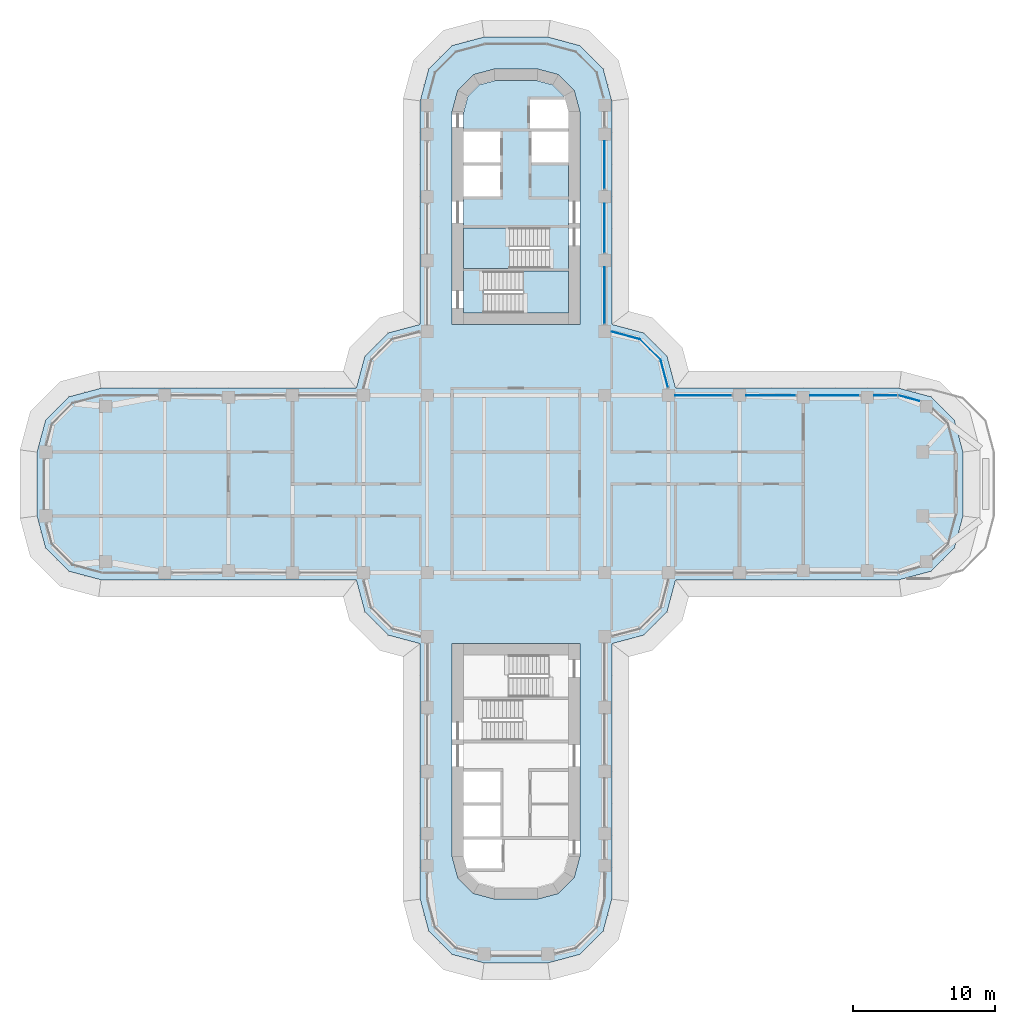
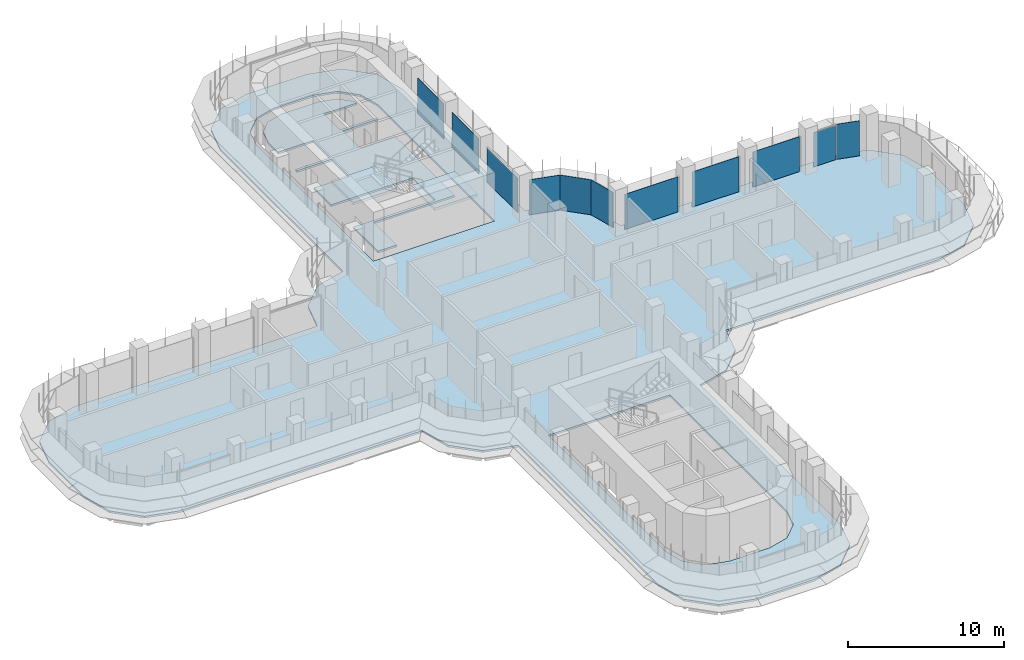
# One storey, part 14 of 22: 11 plates, 4 slabs, 8 elements without a shape of their own.
"""IFC4 building model written with IfcOpenShell, lengths in metres."""

from ifc_helpers import new_model, si_unit, direction, frame, origin, place, context, subcontext, project, spatial, polyline, outline, extrude, source, transform, mapped, material, layer, layer_set, type_object, element, aggregate, save


model = new_model("IFC4")

# Units and contexts
model_context = context("Model", 3, precision=1e-05, world=origin(), true_north=direction((0.0, 1.0)))
body_context = subcontext(model_context, "Body", "Model", "MODEL_VIEW")
ifc_project = project(units=[si_unit("LENGTHUNIT", "METRE"), si_unit("AREAUNIT", "SQUARE_METRE"), si_unit("VOLUMEUNIT", "CUBIC_METRE"), si_unit("PLANEANGLEUNIT", "RADIAN"), si_unit("MASSUNIT", "GRAM", prefix="KILO")], contexts=[model_context])

# Site, building, storey
site_placement = place(None, origin())
site = spatial("IfcSite", under=ifc_project, at=site_placement, CompositionType="ELEMENT")
building_placement = place(site_placement, origin())
building = spatial("IfcBuilding", under=site, at=building_placement, Name="Zarbagh Exchange Tower", CompositionType="ELEMENT")
storey_placement = place(building_placement, frame((0.0, 0.0, 124.60009765625)))
storey = spatial("IfcBuildingStorey", under=building, at=storey_placement, Name="L29", CompositionType="ELEMENT", Elevation=124.60009765625)

# Slabs
ifc_material_1 = material(Name="Concrete C40/50", Category="concrete")
ifc_layer_1 = layer(ifc_material_1, 0.14990234375)
ifc_layer_set_1 = layer_set([ifc_layer_1], Name="Composite floor slab 150 C40/50")
slab_type_1 = type_object("IfcSlabType", Name="Composite floor slab 150 C40/50", PredefinedType="FLOOR", material=ifc_layer_set_1)
slab_1_placement = place(storey_placement, frame((0.0, 0.0, -0.150146484375)))
element("IfcSlab", 1, at=slab_1_placement, inside=storey, type_object=slab_type_1, Name="S5 composite floor slab", PredefinedType="FLOOR", context=body_context, shape_type="SweptSolid", body=[
    extrude(outline(polyline([(-2.25, -33.75), (-4.5, -33.147216796875), (-6.147216796875, -31.5), (-6.75, -29.25), (-6.75, -11.25), (-9.0, -10.647216796875), (-10.647216796875, -9.0), (-11.25, -6.75), (-29.25, -6.75), (-31.5, -6.147216796875), (-33.147216796875, -4.5), (-33.75, -2.25), (-33.75, 2.25), (-33.147216796875, 4.5), (-31.5, 6.147216796875), (-29.25, 6.75), (-11.25, 6.75), (-10.647216796875, 9.0), (-9.0, 10.647216796875), (-6.75, 11.25), (-6.75, 27.0), (-6.147216796875, 29.25), (-4.5, 30.897216796875), (-2.25, 31.5), (2.25, 31.5), (4.5, 30.897216796875), (6.147216796875, 29.25), (6.75, 27.0), (6.75, 11.25), (9.0, 10.647216796875), (10.647216796875, 9.0), (11.25, 6.75), (27.0, 6.75), (29.25, 6.147216796875), (30.897216796875, 4.5), (31.5, 2.25), (31.5, -2.25), (30.897216796875, -4.5), (29.25, -6.147216796875), (27.0, -6.75), (11.25, -6.75), (10.647216796875, -9.0), (9.0, -10.647216796875), (6.75, -11.25), (6.75, -29.25), (6.147216796875, -31.5), (4.5, -33.147216796875), (2.25, -33.75), (-2.25, -33.75)]), holes=[polyline([(4.5, 11.25), (4.5, 26.25), (4.09814453125, 27.75), (3.0, 28.84814453125), (1.5, 29.25), (-1.5, 29.25), (-3.0, 28.84814453125), (-4.09814453125, 27.75), (-4.5, 26.25), (-4.5, 11.25), (4.5, 11.25)]), polyline([(-1.5, -29.25), (1.5, -29.25), (3.0, -28.84814453125), (4.09814453125, -27.75), (4.5, -26.25), (4.5, -11.25), (-4.5, -11.25), (-4.5, -26.25), (-4.09814453125, -27.75), (-3.0, -28.84814453125), (-1.5, -29.25)])]), origin(), (0.0, 0.0, 1.0), 0.150146484375),
])
ifc_layer_2 = layer(ifc_material_1, 0.14990234375)
ifc_layer_set_2 = layer_set([ifc_layer_2], Name="Core floor slab 150 C40/50")
slab_type_2 = type_object("IfcSlabType", Name="Core floor slab 150 C40/50", PredefinedType="FLOOR", material=ifc_layer_set_2)
slab_2_placement = place(storey_placement, frame((0.0, 0.0, -0.150146484375)))
element("IfcSlab", 2, at=slab_2_placement, inside=storey, type_object=slab_type_2, Name="S17 core N", PredefinedType="FLOOR", context=body_context, shape_type="SweptSolid", body=[
    extrude(outline(polyline([(-3.699951171875, 12.050048828125), (-3.699951171875, 15.199951171875), (2.35009765625, 15.199951171875), (2.35009765625, 18.050048828125), (-3.699951171875, 18.050048828125), (-3.699951171875, 20.25), (-1.10009765625, 20.25), (-1.10009765625, 22.449951171875), (-3.699951171875, 22.449951171875), (-3.699951171875, 22.64990234375), (-1.10009765625, 22.64990234375), (-1.10009765625, 24.85009765625), (-3.699951171875, 24.85009765625), (-3.699951171875, 26.144775390625), (-3.380859375, 27.3359375), (-2.5859375, 28.130859375), (-1.394775390625, 28.449951171875), (1.394775390625, 28.449951171875), (2.5859375, 28.130859375), (3.380859375, 27.3359375), (3.646484375, 26.3447265625), (3.444091796875, 27.10009765625), (1.0, 27.10009765625), (1.0, 25.050048828125), (3.699951171875, 25.050048828125), (3.699951171875, 24.85009765625), (1.10009765625, 24.85009765625), (1.10009765625, 22.64990234375), (3.699951171875, 22.64990234375), (3.699951171875, 15.0), (-2.300048828125, 15.0), (-2.300048828125, 12.050048828125), (-3.699951171875, 12.050048828125)])), origin(), (0.0, 0.0, 1.0), 0.150146484375),
])

# Stair, slab
stair_type = type_object("IfcStairType", Name="Exit stair two-flight half-turn", PredefinedType="HALF_TURN_STAIR", material=ifc_material_1)
stair_1_placement = place(storey_placement, origin())
stair_1 = element("IfcStair", 3, at=stair_1_placement, inside=storey, type_object=stair_type, Name="exit stair ST1", PredefinedType="HALF_TURN_STAIR")
ifc_layer_3 = layer(ifc_material_1, 0.199951171875)
ifc_layer_set_3 = layer_set([ifc_layer_3], Name="Stair landing 200 mm")
slab_type_3 = type_object("IfcSlabType", Name="Stair landing 200 mm", PredefinedType="LANDING", material=ifc_layer_set_3)
slab_3_placement = place(storey_placement, frame((0.0, 0.0, 1.699951171875)))
slab_3 = element("IfcSlab", 4, at=slab_3_placement, type_object=slab_type_3, Name="ST1 landing 1", PredefinedType="LANDING", context=body_context, shape_type="SweptSolid", body=[
    extrude(outline(polyline([(-0.449951171875, 18.050048828125), (-3.699951171875, 18.050048828125), (-3.699951171875, 15.199951171875), (-0.449951171875, 15.199951171875), (-0.449951171875, 18.050048828125)])), origin(), (0.0, 0.0, 1.0), 0.199951171875),
])
aggregate(stair_1, [slab_3])

stair_2_placement = place(storey_placement, origin())
stair_2 = element("IfcStair", 5, at=stair_2_placement, inside=storey, type_object=stair_type, Name="exit stair ST2", PredefinedType="HALF_TURN_STAIR")
slab_4_placement = place(storey_placement, frame((0.0, 0.0, 1.699951171875)))
slab_4 = element("IfcSlab", 6, at=slab_4_placement, type_object=slab_type_3, Name="ST2 landing 1", PredefinedType="LANDING", context=body_context, shape_type="SweptSolid", body=[
    extrude(outline(polyline([(0.5, 12.050048828125), (3.699951171875, 12.050048828125), (3.699951171875, 15.0), (0.5, 15.0), (0.5, 12.050048828125)])), origin(), (0.0, 0.0, 1.0), 0.199951171875),
])
aggregate(stair_2, [slab_4])

# Curtain wall, plate
ifc_material_2 = material(Name="Anodised aluminium frame and glazing", Category="aluminium")
curtain_wall_type = type_object("IfcCurtainWallType", Name="CWA Ribbon glazing, lower zones", PredefinedType="NOTDEFINED", material=ifc_material_2)
curtain_wall_1_placement = place(storey_placement, origin())
curtain_wall_1 = element("IfcCurtainWall", 7, at=curtain_wall_1_placement, inside=storey, type_object=curtain_wall_type, Name="CWA18 curtain wall", PredefinedType="NOTDEFINED")
ifc_material_3 = material(Name="Low-e double glazed unit, 6+12+6 mm")
ifc_layer_4 = layer(ifc_material_3, 0.028076171875)
ifc_layer_set_4 = layer_set([ifc_layer_4], Name="PAA Glazing panel, Low-e double glazed unit, 6+12+6 mm")
plate_type = type_object("IfcPlateType", Name="PAA Glazing panel, Low-e double glazed unit, 6+12+6 mm", PredefinedType="CURTAIN_PANEL", material=ifc_layer_set_4)
shared_shape_1 = source(origin(), body_context, "Body", "SweptSolid", [
    extrude(outline(polyline([(0.0, -0.013916015625), (2.061279296875, -0.013916015625), (2.061279296875, 0.013916015625), (0.0, 0.013916015625), (0.0, -0.013916015625)])), origin(), (0.0, 0.0, 1.0), 2.75),
])
placement = place(storey_placement, origin())
plate_1 = element("IfcPlate", 8, at=placement, type_object=plate_type, Name="CWA18 glazing panel 1.1", PredefinedType="CURTAIN_PANEL", context=body_context, shape_type="MappedRepresentation", body=[
    mapped(shared_shape_1, transform((10.19873046875, 8.7412109375, 0.0), x_axis=(-0.707106781187, 0.707106781187, 0.0), y_axis=(-0.707106781187, -0.707106781187, 0.0), z_axis=(0.0, 0.0, 1.0))),
])
aggregate(curtain_wall_1, [plate_1])

curtain_wall_2_placement = place(storey_placement, origin())
curtain_wall_2 = element("IfcCurtainWall", 9, at=curtain_wall_2_placement, inside=storey, type_object=curtain_wall_type, Name="CWA49 curtain wall", PredefinedType="NOTDEFINED")
shared_shape_2 = source(origin(), body_context, "Body", "SweptSolid", [
    extrude(outline(polyline([(0.0, -0.013916015625), (3.360107421875, -0.013916015625), (3.360107421875, 0.013916015625), (0.0, 0.013916015625), (0.0, -0.013916015625)])), origin(), (0.0, 0.0, 1.0), 2.75),
])
plate_2 = element("IfcPlate", 10, at=placement, type_object=plate_type, Name="CWA49 glazing panel 3.1", PredefinedType="CURTAIN_PANEL", context=body_context, shape_type="MappedRepresentation", body=[
    mapped(shared_shape_2, transform((6.25, 20.800048828125, 0.0), x_axis=(0.0, 1.0, 0.0), y_axis=(-1.0, 0.0, 0.0), z_axis=(0.0, 0.0, 1.0))),
])

# Curtain wall, plates
curtain_wall_3_placement = place(storey_placement, origin())
curtain_wall_3 = element("IfcCurtainWall", 11, at=curtain_wall_3_placement, inside=storey, type_object=curtain_wall_type, Name="CWA65 curtain wall", PredefinedType="NOTDEFINED")
shared_shape_3 = source(origin(), body_context, "Body", "SweptSolid", [
    extrude(outline(polyline([(0.0, -0.013916015625), (3.4599609375, -0.013916015625), (3.4599609375, 0.013916015625), (0.0, 0.013916015625), (0.0, -0.013916015625)])), origin(), (0.0, 0.0, 1.0), 2.75),
])
plate_3 = element("IfcPlate", 12, at=placement, type_object=plate_type, Name="CWA65 glazing panel 2.1", PredefinedType="CURTAIN_PANEL", context=body_context, shape_type="MappedRepresentation", body=[
    mapped(shared_shape_3, transform((24.199951171875, 6.25, 0.0), x_axis=(-1.0, 0.0, 0.0), y_axis=(0.0, -1.0, 0.0), z_axis=(0.0, 0.0, 1.0))),
])
plate_4 = element("IfcPlate", 13, at=placement, type_object=plate_type, Name="CWA65 glazing panel 3.1", PredefinedType="CURTAIN_PANEL", context=body_context, shape_type="MappedRepresentation", body=[
    mapped(shared_shape_3, transform((19.699951171875, 6.25, 0.0), x_axis=(-1.0, 0.0, 0.0), y_axis=(0.0, -1.0, 0.0), z_axis=(0.0, 0.0, 1.0))),
])

# Plate
plate_5 = element("IfcPlate", 14, at=placement, type_object=plate_type, Name="CWA49 glazing panel 2.1", PredefinedType="CURTAIN_PANEL", context=body_context, shape_type="MappedRepresentation", body=[
    mapped(shared_shape_3, transform((6.25, 16.300048828125, 0.0), x_axis=(0.0, 1.0, 0.0), y_axis=(-1.0, 0.0, 0.0), z_axis=(0.0, 0.0, 1.0))),
])

shared_shape_4 = source(origin(), body_context, "Body", "SweptSolid", [
    extrude(outline(polyline([(0.0, -0.013916015625), (3.9599609375, -0.013916015625), (3.9599609375, 0.013916015625), (0.0, 0.013916015625), (0.0, -0.013916015625)])), origin(), (0.0, 0.0, 1.0), 2.75),
])
plate_6 = element("IfcPlate", 15, at=placement, type_object=plate_type, Name="CWA65 glazing panel 4.1", PredefinedType="CURTAIN_PANEL", context=body_context, shape_type="MappedRepresentation", body=[
    mapped(shared_shape_4, transform((15.199951171875, 6.25, 0.0), x_axis=(-1.0, 0.0, 0.0), y_axis=(0.0, -1.0, 0.0), z_axis=(0.0, 0.0, 1.0))),
])

# Curtain wall, plate
curtain_wall_4_placement = place(storey_placement, origin())
curtain_wall_4 = element("IfcCurtainWall", 16, at=curtain_wall_4_placement, inside=storey, type_object=curtain_wall_type, Name="CWA17 curtain wall", PredefinedType="NOTDEFINED")
shared_shape_5 = source(origin(), body_context, "Body", "SweptSolid", [
    extrude(outline(polyline([(0.0, -0.013916015625), (2.01171875, -0.013916015625), (2.01171875, 0.013916015625), (0.0, 0.013916015625), (0.0, -0.013916015625)])), origin(), (0.0, 0.0, 1.0), 2.75),
])
plate_7 = element("IfcPlate", 17, at=placement, type_object=plate_type, Name="CWA17 glazing panel 1.1", PredefinedType="CURTAIN_PANEL", context=body_context, shape_type="MappedRepresentation", body=[
    mapped(shared_shape_5, transform((10.719482421875, 6.7978515625, 0.0), x_axis=(-0.258824779902, 0.965924289636, 0.0), y_axis=(-0.965924289636, -0.258824779902, 0.0), z_axis=(0.0, 0.0, 1.0))),
])
aggregate(curtain_wall_4, [plate_7])

curtain_wall_5_placement = place(storey_placement, origin())
curtain_wall_5 = element("IfcCurtainWall", 18, at=curtain_wall_5_placement, inside=storey, type_object=curtain_wall_type, Name="CWA19 curtain wall", PredefinedType="NOTDEFINED")
shared_shape_6 = source(origin(), body_context, "Body", "SweptSolid", [
    extrude(outline(polyline([(0.0, -0.013916015625), (2.07177734375, -0.013916015625), (2.07177734375, 0.013916015625), (0.0, 0.013916015625), (0.0, -0.013916015625)])), origin(), (0.0, 0.0, 1.0), 2.75),
])
plate_8 = element("IfcPlate", 19, at=placement, type_object=plate_type, Name="CWA19 glazing panel 1.1", PredefinedType="CURTAIN_PANEL", context=body_context, shape_type="MappedRepresentation", body=[
    mapped(shared_shape_6, transform((8.7412109375, 10.19873046875, 0.0), x_axis=(-0.965924289636, 0.258824779902, 0.0), y_axis=(-0.258824779902, -0.965924289636, 0.0), z_axis=(0.0, 0.0, 1.0))),
])
aggregate(curtain_wall_5, [plate_8])

# Plate
shared_shape_7 = source(origin(), body_context, "Body", "SweptSolid", [
    extrude(outline(polyline([(0.0, -0.013916015625), (3.9599609375, -0.013916015625), (3.9599609375, 0.013916015625), (0.0, 0.013916015625), (0.0, -0.013916015625)])), origin(), (0.0, 0.0, 1.0), 2.68994140625),
])
plate_9 = element("IfcPlate", 20, at=placement, type_object=plate_type, Name="CWA49 glazing panel 1.1", PredefinedType="CURTAIN_PANEL", context=body_context, shape_type="MappedRepresentation", body=[
    mapped(shared_shape_7, transform((6.25, 11.300048828125, 0.0), x_axis=(0.0, 1.0, 0.0), y_axis=(-1.0, 0.0, 0.0), z_axis=(0.0, 0.0, 1.0))),
])

aggregate(curtain_wall_2, [plate_9, plate_5, plate_2])

# Curtain wall, plate
curtain_wall_6_placement = place(storey_placement, origin())
curtain_wall_6 = element("IfcCurtainWall", 21, at=curtain_wall_6_placement, inside=storey, type_object=curtain_wall_type, Name="CWA64 curtain wall", PredefinedType="NOTDEFINED")
shared_shape_8 = source(origin(), body_context, "Body", "SweptSolid", [
    extrude(outline(polyline([(0.0, -0.013916015625), (1.5361328125, -0.013916015625), (1.5361328125, 0.013916015625), (0.0, 0.013916015625), (0.0, -0.013916015625)])), origin(), (0.0, 0.0, 1.0), 2.75),
])
plate_10 = element("IfcPlate", 22, at=placement, type_object=plate_type, Name="CWA64 glazing panel 1.1", PredefinedType="CURTAIN_PANEL", context=body_context, shape_type="MappedRepresentation", body=[
    mapped(shared_shape_8, transform((28.41796875, 5.852294921875, 0.0), x_axis=(-0.965924289636, 0.258824779902, 0.0), y_axis=(-0.258824779902, -0.965924289636, 0.0), z_axis=(0.0, 0.0, 1.0))),
])
aggregate(curtain_wall_6, [plate_10])

# Plate
shared_shape_9 = source(origin(), body_context, "Body", "SweptSolid", [
    extrude(outline(polyline([(0.0, -0.013916015625), (1.63427734375, -0.013916015625), (1.63427734375, 0.013916015625), (0.0, 0.013916015625), (0.0, -0.013916015625)])), origin(), (0.0, 0.0, 1.0), 2.68994140625),
])
plate_11 = element("IfcPlate", 23, at=placement, type_object=plate_type, Name="CWA65 glazing panel 1.1", PredefinedType="CURTAIN_PANEL", context=body_context, shape_type="MappedRepresentation", body=[
    mapped(shared_shape_9, transform((26.874267578125, 6.25, 0.0), x_axis=(-1.0, 0.0, 0.0), y_axis=(0.0, -1.0, 0.0), z_axis=(0.0, 0.0, 1.0))),
])

aggregate(curtain_wall_3, [plate_11, plate_3, plate_4, plate_6])

save(model, "model.ifc")
